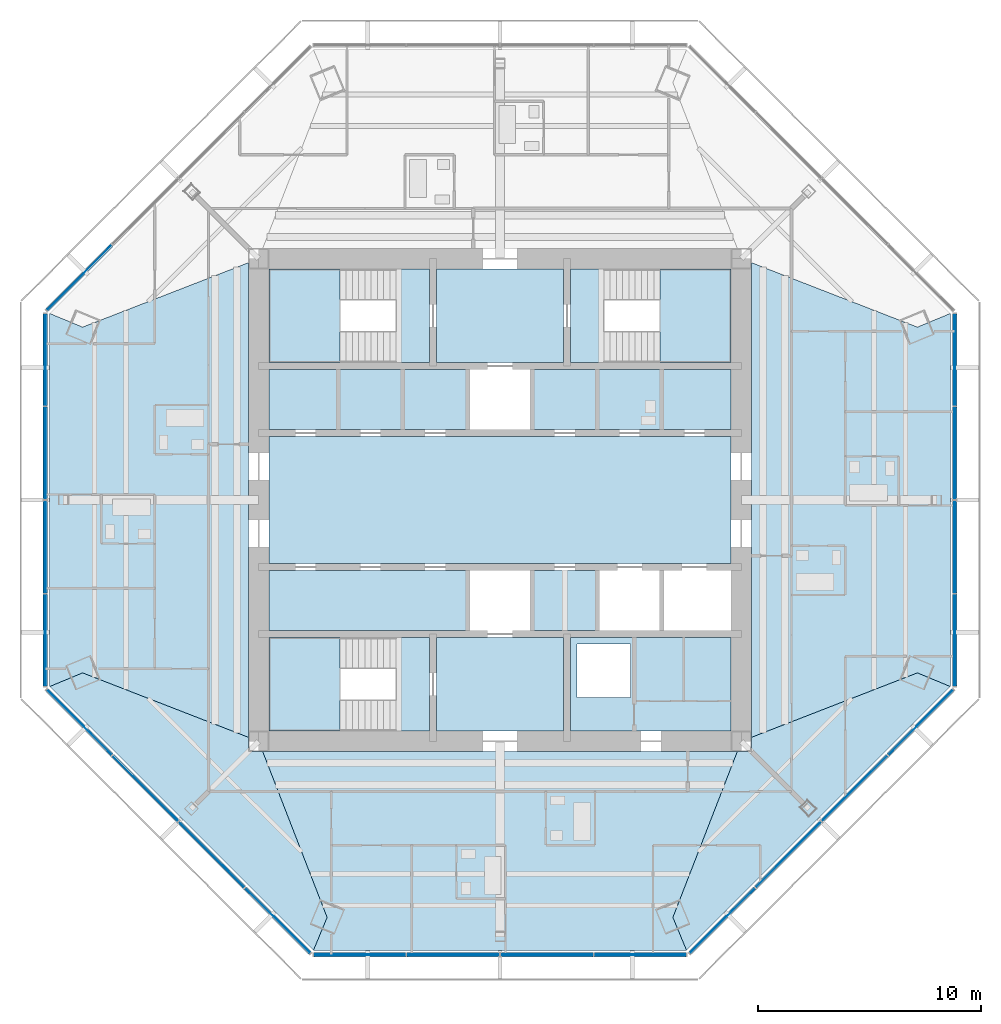
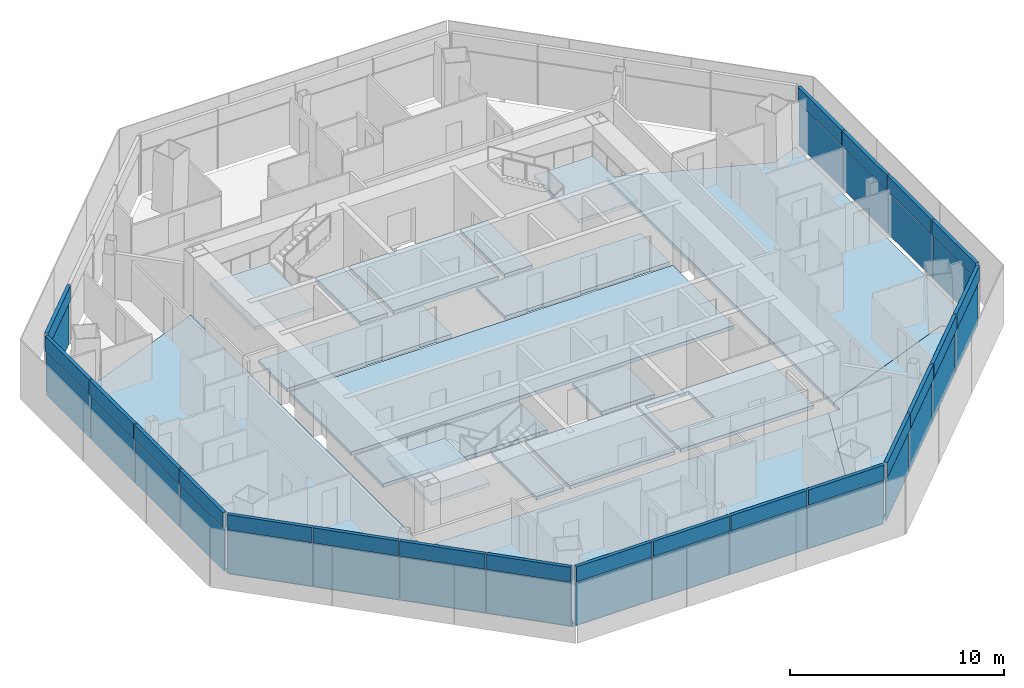
# One storey, part 8 of 15: 42 plates, 19 slabs, 9 elements without a shape of their own.
"""IFC4 building model written with IfcOpenShell, lengths in metres."""

from ifc_helpers import new_model, si_unit, direction, frame, origin, origin_2d, place, context, subcontext, project, spatial, polyline, rectangle, outline, extrude, source, transform, mapped, material, layer, layer_set, type_object, type_shapes, element, aggregate, save


model = new_model("IFC4")

# Units and contexts
model_context = context("Model", 3, precision=1e-05, world=origin(), true_north=direction((0.0, 1.0)))
body_context = subcontext(model_context, "Body", "Model", "MODEL_VIEW")
ifc_project = project(units=[si_unit("LENGTHUNIT", "METRE"), si_unit("AREAUNIT", "SQUARE_METRE"), si_unit("VOLUMEUNIT", "CUBIC_METRE"), si_unit("PLANEANGLEUNIT", "RADIAN"), si_unit("MASSUNIT", "GRAM", prefix="KILO")], contexts=[model_context])

# Site, building, storey
site_placement = place(None, origin())
site = spatial("IfcSite", under=ifc_project, at=site_placement, CompositionType="ELEMENT")
building_placement = place(site_placement, origin())
building = spatial("IfcBuilding", under=site, at=building_placement, Name="Mashrafa Tower", CompositionType="ELEMENT")
storey_placement = place(building_placement, frame((0.0, 0.0, 270.800048828125)))
storey = spatial("IfcBuildingStorey", under=building, at=storey_placement, Name="L65", CompositionType="ELEMENT", Elevation=270.800048828125)

# Slabs
ifc_material_1 = material(Name="Concrete C35/45", Category="concrete")
ifc_layer_1 = layer(ifc_material_1, 0.199951171875)
ifc_layer_set_1 = layer_set([ifc_layer_1], Name="Floor slab 200")
slab_type_1 = type_object("IfcSlabType", Name="Floor slab 200", PredefinedType="FLOOR", material=ifc_layer_set_1)
slab_1_placement = place(storey_placement, frame((0.0, 0.0, -0.199951171875)))
element("IfcSlab", 1, at=slab_1_placement, inside=storey, type_object=slab_type_1, Name="Floor slab L65 east bay", PredefinedType="FLOOR", context=body_context, shape_type="SweptSolid", body=[
    extrude(outline(polyline([(20.154052734375, 8.34814453125), (20.154052734375, -8.34814453125), (20.154052734375, -8.34814453125), (18.681640625, -7.73828125), (11.25, -10.625244140625), (11.25, 10.625244140625), (18.681640625, 7.73828125), (20.154052734375, 8.34814453125), (20.154052734375, 8.34814453125)])), origin(), (0.0, 0.0, 1.0), 0.199951171875),
])
slab_2_placement = place(storey_placement, frame((0.0, 0.0, -0.199951171875)))
element("IfcSlab", 2, at=slab_2_placement, inside=storey, type_object=slab_type_1, Name="Floor slab L65 west bay", PredefinedType="FLOOR", context=body_context, shape_type="SweptSolid", body=[
    extrude(outline(polyline([(-20.154052734375, -8.34814453125), (-20.154052734375, 8.34814453125), (-20.154052734375, 8.34814453125), (-18.681640625, 7.73828125), (-11.25, 10.625244140625), (-11.25, -10.625244140625), (-18.681640625, -7.73828125), (-20.154052734375, -8.34814453125), (-20.154052734375, -8.34814453125)])), origin(), (0.0, 0.0, 1.0), 0.199951171875),
])
slab_3_placement = place(storey_placement, frame((0.0, 0.0, -0.199951171875)))
element("IfcSlab", 3, at=slab_3_placement, inside=storey, type_object=slab_type_1, Name="Floor slab L65 south-west bay", PredefinedType="FLOOR", context=body_context, shape_type="SweptSolid", body=[
    extrude(outline(polyline([(-20.154052734375, -8.34814453125), (-18.681640625, -7.73828125), (-11.25, -10.625244140625), (-11.25, -11.25), (-10.625244140625, -11.25), (-7.73828125, -18.681640625), (-8.34814453125, -20.154052734375), (-20.154052734375, -8.34814453125)])), origin(), (0.0, 0.0, 1.0), 0.199951171875),
])
slab_4_placement = place(storey_placement, frame((0.0, 0.0, -0.199951171875)))
element("IfcSlab", 4, at=slab_4_placement, inside=storey, type_object=slab_type_1, Name="Floor slab L65 south bay", PredefinedType="FLOOR", context=body_context, shape_type="SweptSolid", body=[
    extrude(outline(polyline([(-8.34814453125, -20.154052734375), (-8.34814453125, -20.154052734375), (-7.73828125, -18.681640625), (-10.625244140625, -11.25), (10.625244140625, -11.25), (7.73828125, -18.681640625), (8.34814453125, -20.154052734375), (8.34814453125, -20.154052734375), (-8.34814453125, -20.154052734375)])), origin(), (0.0, 0.0, 1.0), 0.199951171875),
])
slab_5_placement = place(storey_placement, frame((0.0, 0.0, -0.199951171875)))
element("IfcSlab", 5, at=slab_5_placement, inside=storey, type_object=slab_type_1, Name="Floor slab L65 south-east bay", PredefinedType="FLOOR", context=body_context, shape_type="SweptSolid", body=[
    extrude(outline(polyline([(8.34814453125, -20.154052734375), (7.73828125, -18.681640625), (10.625244140625, -11.25), (11.25, -11.25), (11.25, -10.625244140625), (18.681640625, -7.73828125), (20.154052734375, -8.34814453125), (8.34814453125, -20.154052734375)])), origin(), (0.0, 0.0, 1.0), 0.199951171875),
])
slab_6_placement = place(storey_placement, frame((0.0, 0.0, -0.199951171875)))
element("IfcSlab", 6, at=slab_6_placement, inside=storey, type_object=slab_type_1, Name="Core floor lift hall L65", PredefinedType="FLOOR", context=body_context, shape_type="SweptSolid", body=[
    extrude(outline(polyline([(-10.35009765625, 2.85009765625), (10.35009765625, 2.85009765625), (10.35009765625, -2.85009765625), (-10.35009765625, -2.85009765625), (-10.35009765625, 2.85009765625)])), origin(), (0.0, 0.0, 1.0), 0.199951171875),
])
slab_7_placement = place(storey_placement, frame((0.0, 0.0, -0.199951171875)))
element("IfcSlab", 7, at=slab_7_placement, inside=storey, type_object=slab_type_1, Name="Core floor riser and electrical band L65", PredefinedType="FLOOR", context=body_context, shape_type="SweptSolid", body=[
    extrude(outline(polyline([(10.35009765625, -6.14990234375), (10.35009765625, -10.35009765625), (3.14990234375, -10.35009765625), (3.14990234375, -6.14990234375), (10.35009765625, -6.14990234375)]), holes=[polyline([(3.449951171875, -8.85009765625), (5.85009765625, -8.85009765625), (5.85009765625, -6.449951171875), (3.449951171875, -6.449951171875), (3.449951171875, -8.85009765625)])]), origin(), (0.0, 0.0, 1.0), 0.199951171875),
])
slab_8_placement = place(storey_placement, frame((0.0, 0.0, -0.199951171875)))
element("IfcSlab", 8, at=slab_8_placement, inside=storey, type_object=slab_type_1, Name="Core floor lift cell L65", PredefinedType="FLOOR", context=body_context, shape_type="SweptSolid", body=[
    extrude(outline(polyline([(10.35009765625, 5.85009765625), (10.35009765625, 3.14990234375), (1.449951171875, 3.14990234375), (1.449951171875, 5.85009765625), (10.35009765625, 5.85009765625)])), origin(), (0.0, 0.0, 1.0), 0.199951171875),
])
slab_9_placement = place(storey_placement, frame((0.0, 0.0, -0.199951171875)))
element("IfcSlab", 9, at=slab_9_placement, inside=storey, type_object=slab_type_1, Name="Core floor lift cell L65", PredefinedType="FLOOR", context=body_context, shape_type="SweptSolid", body=[
    extrude(outline(polyline([(-1.449951171875, 3.14990234375), (-10.35009765625, 3.14990234375), (-10.35009765625, 5.85009765625), (-1.449951171875, 5.85009765625), (-1.449951171875, 3.14990234375)])), origin(), (0.0, 0.0, 1.0), 0.199951171875),
])
slab_10_placement = place(storey_placement, frame((0.0, 0.0, -0.199951171875)))
element("IfcSlab", 10, at=slab_10_placement, inside=storey, type_object=slab_type_1, Name="Core floor lift cell L65", PredefinedType="FLOOR", context=body_context, shape_type="SweptSolid", body=[
    extrude(outline(polyline([(-1.449951171875, -3.14990234375), (-1.449951171875, -5.85009765625), (-10.35009765625, -5.85009765625), (-10.35009765625, -3.14990234375), (-1.449951171875, -3.14990234375)])), origin(), (0.0, 0.0, 1.0), 0.199951171875),
])
slab_11_placement = place(storey_placement, frame((0.0, 0.0, -0.199951171875)))
element("IfcSlab", 11, at=slab_11_placement, inside=storey, type_object=slab_type_1, Name="Core floor fire-fighting lobby south L65", PredefinedType="FLOOR", context=body_context, shape_type="SweptSolid", body=[
    extrude(outline(polyline([(2.85009765625, -6.14990234375), (2.85009765625, -10.35009765625), (-2.85009765625, -10.35009765625), (-2.85009765625, -6.14990234375), (2.85009765625, -6.14990234375)])), origin(), (0.0, 0.0, 1.0), 0.199951171875),
])
slab_12_placement = place(storey_placement, frame((0.0, 0.0, -0.199951171875)))
element("IfcSlab", 12, at=slab_12_placement, inside=storey, type_object=slab_type_1, Name="Core floor fire-fighting lobby north L65", PredefinedType="FLOOR", context=body_context, shape_type="SweptSolid", body=[
    extrude(outline(polyline([(-2.85009765625, 10.35009765625), (2.85009765625, 10.35009765625), (2.85009765625, 6.14990234375), (-2.85009765625, 6.14990234375), (-2.85009765625, 10.35009765625)])), origin(), (0.0, 0.0, 1.0), 0.199951171875),
])
slab_13_placement = place(storey_placement, frame((0.0, 0.0, -0.199951171875)))
element("IfcSlab", 13, at=slab_13_placement, inside=storey, type_object=slab_type_1, Name="Core floor lift cell L65", PredefinedType="FLOOR", context=body_context, shape_type="SweptSolid", body=[
    extrude(outline(polyline([(4.35009765625, -3.14990234375), (4.35009765625, -5.85009765625), (1.449951171875, -5.85009765625), (1.449951171875, -3.14990234375), (4.35009765625, -3.14990234375)])), origin(), (0.0, 0.0, 1.0), 0.199951171875),
])

# Stair, slabs
ifc_material_2 = material(Name="Exit stair 1400")
stair_type = type_object("IfcStairType", Name="Exit stair 1400", PredefinedType="HALF_TURN_STAIR", material=ifc_material_2)
stair_1_placement = place(storey_placement, origin())
stair_1 = element("IfcStair", 14, at=stair_1_placement, inside=storey, type_object=stair_type, Name="Stair S1 L65", PredefinedType="HALF_TURN_STAIR")
ifc_material_3 = material(Name="Concrete C32/40", Category="concrete")
ifc_layer_2 = layer(ifc_material_3, 0.199951171875)
ifc_layer_set_2 = layer_set([ifc_layer_2], Name="Stair landing 200")
slab_type_2 = type_object("IfcSlabType", Name="Stair landing 200", PredefinedType="LANDING", material=ifc_layer_set_2)
slab_14_placement = place(storey_placement, frame((0.0, 0.0, -0.199951171875)))
slab_14 = element("IfcSlab", 15, at=slab_14_placement, type_object=slab_type_2, Name="S1 landing 1", PredefinedType="LANDING", context=body_context, shape_type="SweptSolid", body=[
    extrude(outline(polyline([(-4.659912109375, 6.14990234375), (-3.14990234375, 6.14990234375), (-3.14990234375, 10.35009765625), (-4.659912109375, 10.35009765625), (-4.659912109375, 6.14990234375)])), origin(), (0.0, 0.0, 1.0), 0.199951171875),
])
slab_15_placement = place(storey_placement, frame((0.0, 0.0, 1.5)))
slab_15 = element("IfcSlab", 16, at=slab_15_placement, type_object=slab_type_2, Name="S1 landing 2", PredefinedType="LANDING", context=body_context, shape_type="SweptSolid", body=[
    extrude(outline(polyline([(-10.35009765625, 6.14990234375), (-7.159912109375, 6.14990234375), (-7.159912109375, 10.35009765625), (-10.35009765625, 10.35009765625), (-10.35009765625, 6.14990234375)])), origin(), (0.0, 0.0, 1.0), 0.199951171875),
])
aggregate(stair_1, [slab_14, slab_15])

stair_2_placement = place(storey_placement, origin())
stair_2 = element("IfcStair", 17, at=stair_2_placement, inside=storey, type_object=stair_type, Name="Stair S2 L65", PredefinedType="HALF_TURN_STAIR")
slab_16_placement = place(storey_placement, frame((0.0, 0.0, -0.199951171875)))
slab_16 = element("IfcSlab", 18, at=slab_16_placement, type_object=slab_type_2, Name="S2 landing 1", PredefinedType="LANDING", context=body_context, shape_type="SweptSolid", body=[
    extrude(outline(polyline([(3.14990234375, 6.14990234375), (4.659912109375, 6.14990234375), (4.659912109375, 10.35009765625), (3.14990234375, 10.35009765625), (3.14990234375, 6.14990234375)])), origin(), (0.0, 0.0, 1.0), 0.199951171875),
])
slab_17_placement = place(storey_placement, frame((0.0, 0.0, 1.5)))
slab_17 = element("IfcSlab", 19, at=slab_17_placement, type_object=slab_type_2, Name="S2 landing 2", PredefinedType="LANDING", context=body_context, shape_type="SweptSolid", body=[
    extrude(outline(polyline([(7.159912109375, 6.14990234375), (10.35009765625, 6.14990234375), (10.35009765625, 10.35009765625), (7.159912109375, 10.35009765625), (7.159912109375, 6.14990234375)])), origin(), (0.0, 0.0, 1.0), 0.199951171875),
])
aggregate(stair_2, [slab_16, slab_17])

stair_3_placement = place(storey_placement, origin())
stair_3 = element("IfcStair", 20, at=stair_3_placement, inside=storey, type_object=stair_type, Name="Stair S3 L65", PredefinedType="HALF_TURN_STAIR")
slab_18_placement = place(storey_placement, frame((0.0, 0.0, -0.199951171875)))
slab_18 = element("IfcSlab", 21, at=slab_18_placement, type_object=slab_type_2, Name="S3 landing 1", PredefinedType="LANDING", context=body_context, shape_type="SweptSolid", body=[
    extrude(outline(polyline([(-4.659912109375, -10.35009765625), (-3.14990234375, -10.35009765625), (-3.14990234375, -6.14990234375), (-4.659912109375, -6.14990234375), (-4.659912109375, -10.35009765625)])), origin(), (0.0, 0.0, 1.0), 0.199951171875),
])
slab_19_placement = place(storey_placement, frame((0.0, 0.0, 1.5)))
slab_19 = element("IfcSlab", 22, at=slab_19_placement, type_object=slab_type_2, Name="S3 landing 2", PredefinedType="LANDING", context=body_context, shape_type="SweptSolid", body=[
    extrude(outline(polyline([(-10.35009765625, -10.35009765625), (-7.159912109375, -10.35009765625), (-7.159912109375, -6.14990234375), (-10.35009765625, -6.14990234375), (-10.35009765625, -10.35009765625)])), origin(), (0.0, 0.0, 1.0), 0.199951171875),
])
aggregate(stair_3, [slab_18, slab_19])

# Curtain wall, plates
ifc_material_4 = material(Name="Unitised aluminium curtain wall", Category="aluminium")
curtain_wall_type = type_object("IfcCurtainWallType", Name="Apartment curtain wall, zone 4 CW-D 160 deep", PredefinedType="NOTDEFINED", material=ifc_material_4)
curtain_wall_1_placement = place(storey_placement, origin())
curtain_wall_1 = element("IfcCurtainWall", 23, at=curtain_wall_1_placement, inside=storey, type_object=curtain_wall_type, Name="Apartment curtain wall, zone 4 L65 east", PredefinedType="NOTDEFINED")
ifc_material_5 = material(Name="Insulated double glazing, acoustic", Category="glass")
ifc_layer_3 = layer(ifc_material_5, 0.028076171875)
ifc_layer_set_3 = layer_set([ifc_layer_3], Name="Vision panel CW-D 28")
plate_type_1 = type_object("IfcPlateType", Name="Vision panel CW-D 28", PredefinedType="CURTAIN_PANEL", material=ifc_layer_set_3)
shared_shape_1 = source(origin(), body_context, "Body", "SweptSolid", [
    extrude(rectangle(XDim=4.10400390625, YDim=0.028076171875, at=origin_2d()), origin(), (0.0, 0.0, 1.0), 2.46240234375),
])
plate_1_placement = place(storey_placement, frame((20.354248046875, -6.27587890625, 0.0), z_axis=(0.0, 0.0, 1.0), x_axis=(0.0, 1.0, 0.0)))
plate_1 = element("IfcPlate", 24, at=plate_1_placement, type_object=plate_type_1, Name="CW-D vision panel 1", PredefinedType="CURTAIN_PANEL", context=body_context, shape_type="MappedRepresentation", body=[
    mapped(shared_shape_1, transform((0.0, 0.0, 0.0))),
])
plate_2_placement = place(storey_placement, frame((20.354248046875, 6.27587890625, 0.0), z_axis=(0.0, 0.0, 1.0), x_axis=(0.0, 1.0, 0.0)))
plate_2 = element("IfcPlate", 25, at=plate_2_placement, type_object=plate_type_1, Name="CW-D vision panel 4", PredefinedType="CURTAIN_PANEL", context=body_context, shape_type="MappedRepresentation", body=[
    mapped(shared_shape_1, transform((0.0, 0.0, 0.0))),
])

# Curtain wall, plate
curtain_wall_2_placement = place(storey_placement, origin())
curtain_wall_2 = element("IfcCurtainWall", 26, at=curtain_wall_2_placement, inside=storey, type_object=curtain_wall_type, Name="Apartment curtain wall, zone 4 L65 north-west", PredefinedType="NOTDEFINED")
plate_3_placement = place(storey_placement, frame((-18.830322265625, 9.954833984375, 0.0), z_axis=(0.0, 0.0, 1.0), x_axis=(-0.707106781187, -0.707106781187, 0.0)))
plate_3 = element("IfcPlate", 27, at=plate_3_placement, type_object=plate_type_1, Name="CW-D vision panel 4", PredefinedType="CURTAIN_PANEL", context=body_context, shape_type="MappedRepresentation", body=[
    mapped(shared_shape_1, transform((0.0, 0.0, 0.0))),
])

# Curtain wall, plates
curtain_wall_3_placement = place(storey_placement, origin())
curtain_wall_3 = element("IfcCurtainWall", 28, at=curtain_wall_3_placement, inside=storey, type_object=curtain_wall_type, Name="Apartment curtain wall, zone 4 L65 west", PredefinedType="NOTDEFINED")
plate_4_placement = place(storey_placement, frame((-20.354248046875, 6.27587890625, 0.0), z_axis=(0.0, 0.0, 1.0), x_axis=(0.0, -1.0, 0.0)))
plate_4 = element("IfcPlate", 29, at=plate_4_placement, type_object=plate_type_1, Name="CW-D vision panel 1", PredefinedType="CURTAIN_PANEL", context=body_context, shape_type="MappedRepresentation", body=[
    mapped(shared_shape_1, transform((0.0, 0.0, 0.0))),
])
plate_5_placement = place(storey_placement, frame((-20.354248046875, -6.27587890625, 0.0), z_axis=(0.0, 0.0, 1.0), x_axis=(0.0, -1.0, 0.0)))
plate_5 = element("IfcPlate", 30, at=plate_5_placement, type_object=plate_type_1, Name="CW-D vision panel 4", PredefinedType="CURTAIN_PANEL", context=body_context, shape_type="MappedRepresentation", body=[
    mapped(shared_shape_1, transform((0.0, 0.0, 0.0))),
])

curtain_wall_4_placement = place(storey_placement, origin())
curtain_wall_4 = element("IfcCurtainWall", 31, at=curtain_wall_4_placement, inside=storey, type_object=curtain_wall_type, Name="Apartment curtain wall, zone 4 L65 south-west", PredefinedType="NOTDEFINED")
plate_6_placement = place(storey_placement, frame((-18.830322265625, -9.954833984375, 0.0), z_axis=(0.0, 0.0, 1.0), x_axis=(0.707106781187, -0.707106781187, 0.0)))
plate_6 = element("IfcPlate", 32, at=plate_6_placement, type_object=plate_type_1, Name="CW-D vision panel 1", PredefinedType="CURTAIN_PANEL", context=body_context, shape_type="MappedRepresentation", body=[
    mapped(shared_shape_1, transform((0.0, 0.0, 0.0))),
])
plate_7_placement = place(storey_placement, frame((-9.954833984375, -18.830322265625, 0.0), z_axis=(0.0, 0.0, 1.0), x_axis=(0.707106781187, -0.707106781187, 0.0)))
plate_7 = element("IfcPlate", 33, at=plate_7_placement, type_object=plate_type_1, Name="CW-D vision panel 4", PredefinedType="CURTAIN_PANEL", context=body_context, shape_type="MappedRepresentation", body=[
    mapped(shared_shape_1, transform((0.0, 0.0, 0.0))),
])

curtain_wall_5_placement = place(storey_placement, origin())
curtain_wall_5 = element("IfcCurtainWall", 34, at=curtain_wall_5_placement, inside=storey, type_object=curtain_wall_type, Name="Apartment curtain wall, zone 4 L65 south", PredefinedType="NOTDEFINED")
plate_8_placement = place(storey_placement, frame((-6.27587890625, -20.354248046875, 0.0), z_axis=(0.0, 0.0, 1.0), x_axis=(1.0, 0.0, 0.0)))
plate_8 = element("IfcPlate", 35, at=plate_8_placement, type_object=plate_type_1, Name="CW-D vision panel 1", PredefinedType="CURTAIN_PANEL", context=body_context, shape_type="MappedRepresentation", body=[
    mapped(shared_shape_1, transform((0.0, 0.0, 0.0))),
])
plate_9_placement = place(storey_placement, frame((6.27587890625, -20.354248046875, 0.0), z_axis=(0.0, 0.0, 1.0), x_axis=(1.0, 0.0, 0.0)))
plate_9 = element("IfcPlate", 36, at=plate_9_placement, type_object=plate_type_1, Name="CW-D vision panel 4", PredefinedType="CURTAIN_PANEL", context=body_context, shape_type="MappedRepresentation", body=[
    mapped(shared_shape_1, transform((0.0, 0.0, 0.0))),
])

curtain_wall_6_placement = place(storey_placement, origin())
curtain_wall_6 = element("IfcCurtainWall", 37, at=curtain_wall_6_placement, inside=storey, type_object=curtain_wall_type, Name="Apartment curtain wall, zone 4 L65 south-east", PredefinedType="NOTDEFINED")
plate_10_placement = place(storey_placement, frame((9.954833984375, -18.830322265625, 0.0), z_axis=(0.0, 0.0, 1.0), x_axis=(0.707106781187, 0.707106781187, 0.0)))
plate_10 = element("IfcPlate", 38, at=plate_10_placement, type_object=plate_type_1, Name="CW-D vision panel 1", PredefinedType="CURTAIN_PANEL", context=body_context, shape_type="MappedRepresentation", body=[
    mapped(shared_shape_1, transform((0.0, 0.0, 0.0))),
])
plate_11_placement = place(storey_placement, frame((18.830322265625, -9.954833984375, 0.0), z_axis=(0.0, 0.0, 1.0), x_axis=(0.707106781187, 0.707106781187, 0.0)))
plate_11 = element("IfcPlate", 39, at=plate_11_placement, type_object=plate_type_1, Name="CW-D vision panel 4", PredefinedType="CURTAIN_PANEL", context=body_context, shape_type="MappedRepresentation", body=[
    mapped(shared_shape_1, transform((0.0, 0.0, 0.0))),
])

# Plate
ifc_material_6 = material(Name="Insulated bronze aluminium spandrel panel", Category="aluminium")
ifc_layer_4 = layer(ifc_material_6, 0.179931640625)
ifc_layer_set_4 = layer_set([ifc_layer_4], Name="Spandrel panel CW-D 180")
plate_type_2 = type_object("IfcPlateType", Name="Spandrel panel CW-D 180", PredefinedType="CURTAIN_PANEL", material=ifc_layer_set_4)
shared_shape_2 = source(origin(), body_context, "Body", "SweptSolid", [
    extrude(rectangle(XDim=4.10400390625, YDim=0.179931640625, at=origin_2d()), origin(), (0.0, 0.0, 1.0), 0.862548828125),
])
plate_12_placement = place(storey_placement, frame((20.354248046875, -6.27587890625, 2.53759765625), z_axis=(0.0, 0.0, 1.0), x_axis=(0.0, 1.0, 0.0)))
plate_12 = element("IfcPlate", 40, at=plate_12_placement, type_object=plate_type_2, Name="CW-D spandrel panel 1", PredefinedType="CURTAIN_PANEL", context=body_context, shape_type="MappedRepresentation", body=[
    mapped(shared_shape_2, transform((0.0, 0.0, 0.0))),
])

plate_13_placement = place(storey_placement, frame((20.354248046875, 6.27587890625, 2.53759765625), z_axis=(0.0, 0.0, 1.0), x_axis=(0.0, 1.0, 0.0)))
plate_13 = element("IfcPlate", 41, at=plate_13_placement, type_object=plate_type_2, Name="CW-D spandrel panel 4", PredefinedType="CURTAIN_PANEL", context=body_context, shape_type="MappedRepresentation", body=[
    mapped(shared_shape_2, transform((0.0, 0.0, 0.0))),
])

plate_14_placement = place(storey_placement, frame((-18.830322265625, 9.954833984375, 2.53759765625), z_axis=(0.0, 0.0, 1.0), x_axis=(-0.707106781187, -0.707106781187, 0.0)))
plate_14 = element("IfcPlate", 42, at=plate_14_placement, type_object=plate_type_2, Name="CW-D spandrel panel 4", PredefinedType="CURTAIN_PANEL", context=body_context, shape_type="MappedRepresentation", body=[
    mapped(shared_shape_2, transform((0.0, 0.0, 0.0))),
])

aggregate(curtain_wall_2, [plate_3, plate_14])

plate_15_placement = place(storey_placement, frame((-20.354248046875, 6.27587890625, 2.53759765625), z_axis=(0.0, 0.0, 1.0), x_axis=(0.0, -1.0, 0.0)))
plate_15 = element("IfcPlate", 43, at=plate_15_placement, type_object=plate_type_2, Name="CW-D spandrel panel 1", PredefinedType="CURTAIN_PANEL", context=body_context, shape_type="MappedRepresentation", body=[
    mapped(shared_shape_2, transform((0.0, 0.0, 0.0))),
])

plate_16_placement = place(storey_placement, frame((-20.354248046875, -6.27587890625, 2.53759765625), z_axis=(0.0, 0.0, 1.0), x_axis=(0.0, -1.0, 0.0)))
plate_16 = element("IfcPlate", 44, at=plate_16_placement, type_object=plate_type_2, Name="CW-D spandrel panel 4", PredefinedType="CURTAIN_PANEL", context=body_context, shape_type="MappedRepresentation", body=[
    mapped(shared_shape_2, transform((0.0, 0.0, 0.0))),
])

plate_17_placement = place(storey_placement, frame((-18.830322265625, -9.954833984375, 2.53759765625), z_axis=(0.0, 0.0, 1.0), x_axis=(0.707106781187, -0.707106781187, 0.0)))
plate_17 = element("IfcPlate", 45, at=plate_17_placement, type_object=plate_type_2, Name="CW-D spandrel panel 1", PredefinedType="CURTAIN_PANEL", context=body_context, shape_type="MappedRepresentation", body=[
    mapped(shared_shape_2, transform((0.0, 0.0, 0.0))),
])

plate_18_placement = place(storey_placement, frame((-9.954833984375, -18.830322265625, 2.53759765625), z_axis=(0.0, 0.0, 1.0), x_axis=(0.707106781187, -0.707106781187, 0.0)))
plate_18 = element("IfcPlate", 46, at=plate_18_placement, type_object=plate_type_2, Name="CW-D spandrel panel 4", PredefinedType="CURTAIN_PANEL", context=body_context, shape_type="MappedRepresentation", body=[
    mapped(shared_shape_2, transform((0.0, 0.0, 0.0))),
])

plate_19_placement = place(storey_placement, frame((-6.27587890625, -20.354248046875, 2.53759765625), z_axis=(0.0, 0.0, 1.0), x_axis=(1.0, 0.0, 0.0)))
plate_19 = element("IfcPlate", 47, at=plate_19_placement, type_object=plate_type_2, Name="CW-D spandrel panel 1", PredefinedType="CURTAIN_PANEL", context=body_context, shape_type="MappedRepresentation", body=[
    mapped(shared_shape_2, transform((0.0, 0.0, 0.0))),
])

plate_20_placement = place(storey_placement, frame((6.27587890625, -20.354248046875, 2.53759765625), z_axis=(0.0, 0.0, 1.0), x_axis=(1.0, 0.0, 0.0)))
plate_20 = element("IfcPlate", 48, at=plate_20_placement, type_object=plate_type_2, Name="CW-D spandrel panel 4", PredefinedType="CURTAIN_PANEL", context=body_context, shape_type="MappedRepresentation", body=[
    mapped(shared_shape_2, transform((0.0, 0.0, 0.0))),
])

plate_21_placement = place(storey_placement, frame((9.954833984375, -18.830322265625, 2.53759765625), z_axis=(0.0, 0.0, 1.0), x_axis=(0.707106781187, 0.707106781187, 0.0)))
plate_21 = element("IfcPlate", 49, at=plate_21_placement, type_object=plate_type_2, Name="CW-D spandrel panel 1", PredefinedType="CURTAIN_PANEL", context=body_context, shape_type="MappedRepresentation", body=[
    mapped(shared_shape_2, transform((0.0, 0.0, 0.0))),
])

plate_22_placement = place(storey_placement, frame((18.830322265625, -9.954833984375, 2.53759765625), z_axis=(0.0, 0.0, 1.0), x_axis=(0.707106781187, 0.707106781187, 0.0)))
plate_22 = element("IfcPlate", 50, at=plate_22_placement, type_object=plate_type_2, Name="CW-D spandrel panel 4", PredefinedType="CURTAIN_PANEL", context=body_context, shape_type="MappedRepresentation", body=[
    mapped(shared_shape_2, transform((0.0, 0.0, 0.0))),
])

shared_shape_3 = source(origin(), body_context, "Body", "SweptSolid", [
    extrude(rectangle(XDim=4.134033203125, YDim=0.028076171875, at=origin_2d()), origin(), (0.0, 0.0, 1.0), 2.46240234375),
])
type_shapes(plate_type_1, [shared_shape_1, shared_shape_3])
plate_23_placement = place(storey_placement, frame((20.354248046875, -2.096923828125, 0.0), z_axis=(0.0, 0.0, 1.0), x_axis=(0.0, 1.0, 0.0)))
plate_23 = element("IfcPlate", 51, at=plate_23_placement, type_object=plate_type_1, Name="CW-D vision panel 2", PredefinedType="CURTAIN_PANEL", context=body_context, shape_type="MappedRepresentation", body=[
    mapped(shared_shape_3, transform((0.0, 0.0, 0.0))),
])

plate_24_placement = place(storey_placement, frame((20.354248046875, 2.096923828125, 0.0), z_axis=(0.0, 0.0, 1.0), x_axis=(0.0, 1.0, 0.0)))
plate_24 = element("IfcPlate", 52, at=plate_24_placement, type_object=plate_type_1, Name="CW-D vision panel 3", PredefinedType="CURTAIN_PANEL", context=body_context, shape_type="MappedRepresentation", body=[
    mapped(shared_shape_3, transform((0.0, 0.0, 0.0))),
])

plate_25_placement = place(storey_placement, frame((-20.354248046875, 2.096923828125, 0.0), z_axis=(0.0, 0.0, 1.0), x_axis=(0.0, -1.0, 0.0)))
plate_25 = element("IfcPlate", 53, at=plate_25_placement, type_object=plate_type_1, Name="CW-D vision panel 2", PredefinedType="CURTAIN_PANEL", context=body_context, shape_type="MappedRepresentation", body=[
    mapped(shared_shape_3, transform((0.0, 0.0, 0.0))),
])

plate_26_placement = place(storey_placement, frame((-20.354248046875, -2.096923828125, 0.0), z_axis=(0.0, 0.0, 1.0), x_axis=(0.0, -1.0, 0.0)))
plate_26 = element("IfcPlate", 54, at=plate_26_placement, type_object=plate_type_1, Name="CW-D vision panel 3", PredefinedType="CURTAIN_PANEL", context=body_context, shape_type="MappedRepresentation", body=[
    mapped(shared_shape_3, transform((0.0, 0.0, 0.0))),
])

plate_27_placement = place(storey_placement, frame((-15.875244140625, -12.909912109375, 0.0), z_axis=(0.0, 0.0, 1.0), x_axis=(0.707106781187, -0.707106781187, 0.0)))
plate_27 = element("IfcPlate", 55, at=plate_27_placement, type_object=plate_type_1, Name="CW-D vision panel 2", PredefinedType="CURTAIN_PANEL", context=body_context, shape_type="MappedRepresentation", body=[
    mapped(shared_shape_3, transform((0.0, 0.0, 0.0))),
])

plate_28_placement = place(storey_placement, frame((-12.909912109375, -15.875244140625, 0.0), z_axis=(0.0, 0.0, 1.0), x_axis=(0.707106781187, -0.707106781187, 0.0)))
plate_28 = element("IfcPlate", 56, at=plate_28_placement, type_object=plate_type_1, Name="CW-D vision panel 3", PredefinedType="CURTAIN_PANEL", context=body_context, shape_type="MappedRepresentation", body=[
    mapped(shared_shape_3, transform((0.0, 0.0, 0.0))),
])

plate_29_placement = place(storey_placement, frame((-2.096923828125, -20.354248046875, 0.0), z_axis=(0.0, 0.0, 1.0), x_axis=(1.0, 0.0, 0.0)))
plate_29 = element("IfcPlate", 57, at=plate_29_placement, type_object=plate_type_1, Name="CW-D vision panel 2", PredefinedType="CURTAIN_PANEL", context=body_context, shape_type="MappedRepresentation", body=[
    mapped(shared_shape_3, transform((0.0, 0.0, 0.0))),
])

plate_30_placement = place(storey_placement, frame((2.096923828125, -20.354248046875, 0.0), z_axis=(0.0, 0.0, 1.0), x_axis=(1.0, 0.0, 0.0)))
plate_30 = element("IfcPlate", 58, at=plate_30_placement, type_object=plate_type_1, Name="CW-D vision panel 3", PredefinedType="CURTAIN_PANEL", context=body_context, shape_type="MappedRepresentation", body=[
    mapped(shared_shape_3, transform((0.0, 0.0, 0.0))),
])

plate_31_placement = place(storey_placement, frame((12.909912109375, -15.875244140625, 0.0), z_axis=(0.0, 0.0, 1.0), x_axis=(0.707106781187, 0.707106781187, 0.0)))
plate_31 = element("IfcPlate", 59, at=plate_31_placement, type_object=plate_type_1, Name="CW-D vision panel 2", PredefinedType="CURTAIN_PANEL", context=body_context, shape_type="MappedRepresentation", body=[
    mapped(shared_shape_3, transform((0.0, 0.0, 0.0))),
])

plate_32_placement = place(storey_placement, frame((15.875244140625, -12.909912109375, 0.0), z_axis=(0.0, 0.0, 1.0), x_axis=(0.707106781187, 0.707106781187, 0.0)))
plate_32 = element("IfcPlate", 60, at=plate_32_placement, type_object=plate_type_1, Name="CW-D vision panel 3", PredefinedType="CURTAIN_PANEL", context=body_context, shape_type="MappedRepresentation", body=[
    mapped(shared_shape_3, transform((0.0, 0.0, 0.0))),
])

shared_shape_4 = source(origin(), body_context, "Body", "SweptSolid", [
    extrude(rectangle(XDim=4.134033203125, YDim=0.179931640625, at=origin_2d()), origin(), (0.0, 0.0, 1.0), 0.862548828125),
])
type_shapes(plate_type_2, [shared_shape_2, shared_shape_4])
plate_33_placement = place(storey_placement, frame((20.354248046875, -2.096923828125, 2.53759765625), z_axis=(0.0, 0.0, 1.0), x_axis=(0.0, 1.0, 0.0)))
plate_33 = element("IfcPlate", 61, at=plate_33_placement, type_object=plate_type_2, Name="CW-D spandrel panel 2", PredefinedType="CURTAIN_PANEL", context=body_context, shape_type="MappedRepresentation", body=[
    mapped(shared_shape_4, transform((0.0, 0.0, 0.0))),
])

plate_34_placement = place(storey_placement, frame((20.354248046875, 2.096923828125, 2.53759765625), z_axis=(0.0, 0.0, 1.0), x_axis=(0.0, 1.0, 0.0)))
plate_34 = element("IfcPlate", 62, at=plate_34_placement, type_object=plate_type_2, Name="CW-D spandrel panel 3", PredefinedType="CURTAIN_PANEL", context=body_context, shape_type="MappedRepresentation", body=[
    mapped(shared_shape_4, transform((0.0, 0.0, 0.0))),
])

aggregate(curtain_wall_1, [plate_1, plate_12, plate_23, plate_33, plate_24, plate_34, plate_2, plate_13])

plate_35_placement = place(storey_placement, frame((-20.354248046875, 2.096923828125, 2.53759765625), z_axis=(0.0, 0.0, 1.0), x_axis=(0.0, -1.0, 0.0)))
plate_35 = element("IfcPlate", 63, at=plate_35_placement, type_object=plate_type_2, Name="CW-D spandrel panel 2", PredefinedType="CURTAIN_PANEL", context=body_context, shape_type="MappedRepresentation", body=[
    mapped(shared_shape_4, transform((0.0, 0.0, 0.0))),
])

plate_36_placement = place(storey_placement, frame((-20.354248046875, -2.096923828125, 2.53759765625), z_axis=(0.0, 0.0, 1.0), x_axis=(0.0, -1.0, 0.0)))
plate_36 = element("IfcPlate", 64, at=plate_36_placement, type_object=plate_type_2, Name="CW-D spandrel panel 3", PredefinedType="CURTAIN_PANEL", context=body_context, shape_type="MappedRepresentation", body=[
    mapped(shared_shape_4, transform((0.0, 0.0, 0.0))),
])

aggregate(curtain_wall_3, [plate_4, plate_15, plate_25, plate_35, plate_26, plate_36, plate_5, plate_16])

plate_37_placement = place(storey_placement, frame((-15.875244140625, -12.909912109375, 2.53759765625), z_axis=(0.0, 0.0, 1.0), x_axis=(0.707106781187, -0.707106781187, 0.0)))
plate_37 = element("IfcPlate", 65, at=plate_37_placement, type_object=plate_type_2, Name="CW-D spandrel panel 2", PredefinedType="CURTAIN_PANEL", context=body_context, shape_type="MappedRepresentation", body=[
    mapped(shared_shape_4, transform((0.0, 0.0, 0.0))),
])

plate_38_placement = place(storey_placement, frame((-12.909912109375, -15.875244140625, 2.53759765625), z_axis=(0.0, 0.0, 1.0), x_axis=(0.707106781187, -0.707106781187, 0.0)))
plate_38 = element("IfcPlate", 66, at=plate_38_placement, type_object=plate_type_2, Name="CW-D spandrel panel 3", PredefinedType="CURTAIN_PANEL", context=body_context, shape_type="MappedRepresentation", body=[
    mapped(shared_shape_4, transform((0.0, 0.0, 0.0))),
])

aggregate(curtain_wall_4, [plate_6, plate_17, plate_27, plate_37, plate_28, plate_38, plate_7, plate_18])

plate_39_placement = place(storey_placement, frame((-2.096923828125, -20.354248046875, 2.53759765625), z_axis=(0.0, 0.0, 1.0), x_axis=(1.0, 0.0, 0.0)))
plate_39 = element("IfcPlate", 67, at=plate_39_placement, type_object=plate_type_2, Name="CW-D spandrel panel 2", PredefinedType="CURTAIN_PANEL", context=body_context, shape_type="MappedRepresentation", body=[
    mapped(shared_shape_4, transform((0.0, 0.0, 0.0))),
])

plate_40_placement = place(storey_placement, frame((2.096923828125, -20.354248046875, 2.53759765625), z_axis=(0.0, 0.0, 1.0), x_axis=(1.0, 0.0, 0.0)))
plate_40 = element("IfcPlate", 68, at=plate_40_placement, type_object=plate_type_2, Name="CW-D spandrel panel 3", PredefinedType="CURTAIN_PANEL", context=body_context, shape_type="MappedRepresentation", body=[
    mapped(shared_shape_4, transform((0.0, 0.0, 0.0))),
])

aggregate(curtain_wall_5, [plate_8, plate_19, plate_29, plate_39, plate_30, plate_40, plate_9, plate_20])

plate_41_placement = place(storey_placement, frame((12.909912109375, -15.875244140625, 2.53759765625), z_axis=(0.0, 0.0, 1.0), x_axis=(0.707106781187, 0.707106781187, 0.0)))
plate_41 = element("IfcPlate", 69, at=plate_41_placement, type_object=plate_type_2, Name="CW-D spandrel panel 2", PredefinedType="CURTAIN_PANEL", context=body_context, shape_type="MappedRepresentation", body=[
    mapped(shared_shape_4, transform((0.0, 0.0, 0.0))),
])

plate_42_placement = place(storey_placement, frame((15.875244140625, -12.909912109375, 2.53759765625), z_axis=(0.0, 0.0, 1.0), x_axis=(0.707106781187, 0.707106781187, 0.0)))
plate_42 = element("IfcPlate", 70, at=plate_42_placement, type_object=plate_type_2, Name="CW-D spandrel panel 3", PredefinedType="CURTAIN_PANEL", context=body_context, shape_type="MappedRepresentation", body=[
    mapped(shared_shape_4, transform((0.0, 0.0, 0.0))),
])

aggregate(curtain_wall_6, [plate_10, plate_21, plate_31, plate_41, plate_32, plate_42, plate_11, plate_22])

save(model, "model.ifc")
